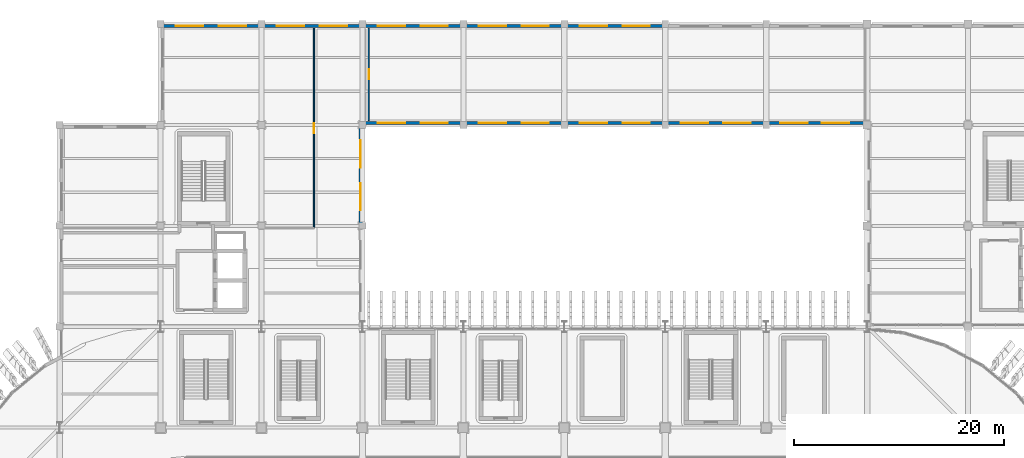
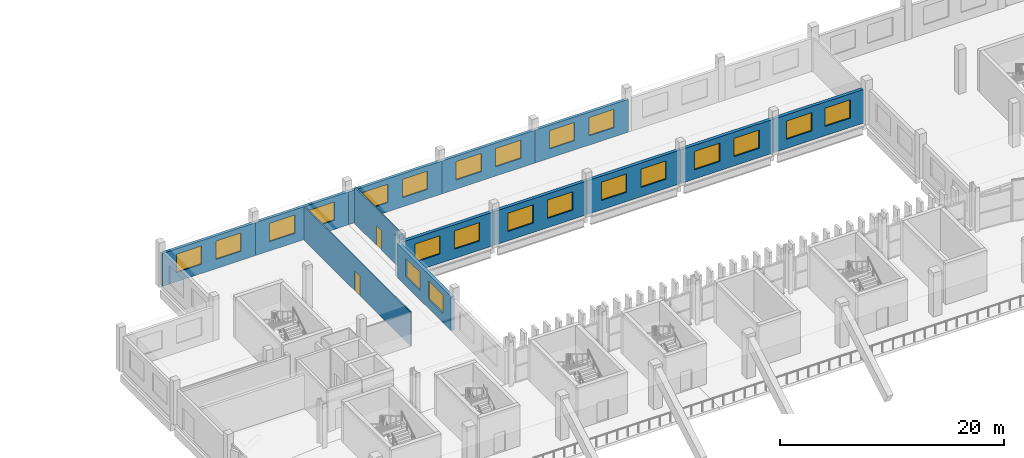
# One storey, part 59 of 100: 22 windows, 13 walls, 2 doors, 24 openings.
"""IFC4 building model written with IfcOpenShell, lengths in metres."""

from ifc_helpers import new_model, si_unit, direction, frame, frame_2d, origin, place, context, subcontext, project, spatial, rectangle, extrude, material, layer, layer_set, type_object, element, fill, save


model = new_model("IFC4")

# Units and contexts
model_context = context("Model", 3, precision=1e-05, world=origin(), true_north=direction((0.0, 1.0)))
body_context = subcontext(model_context, "Body", "Model", "MODEL_VIEW")
ifc_project = project(units=[si_unit("LENGTHUNIT", "METRE"), si_unit("AREAUNIT", "SQUARE_METRE"), si_unit("VOLUMEUNIT", "CUBIC_METRE"), si_unit("PLANEANGLEUNIT", "RADIAN"), si_unit("MASSUNIT", "GRAM", prefix="KILO")], contexts=[model_context])

# Site, building, storey
site_placement = place(None, origin())
site = spatial("IfcSite", under=ifc_project, at=site_placement, CompositionType="ELEMENT")
building_placement = place(site_placement, origin())
building = spatial("IfcBuilding", under=site, at=building_placement, Name="Caelomonte Colonnade Arena", CompositionType="ELEMENT")
storey_placement = place(building_placement, origin())
storey = spatial("IfcBuildingStorey", under=building, at=storey_placement, Name="L00", CompositionType="ELEMENT", Elevation=0.0)

# Wall, openings, windows
ifc_material_1 = material(Name="Precast concrete C40/50", Category="concrete")
ifc_layer_1 = layer(ifc_material_1, 0.2900390625)
ifc_layer_set_1 = layer_set([ifc_layer_1], Name="Precast concrete C40/50")
wall_type_1 = type_object("IfcWallType", Name="ENV-WL-EXT29", PredefinedType="SOLIDWALL", material=ifc_layer_set_1)
wall_1_placement = place(storey_placement, frame((124.800048828125, 143.820068359375, 0.0), z_axis=(0.0, 0.0, 1.0), x_axis=(-1.0, 0.0, 0.0)))
wall_1 = element("IfcWall", 1, at=wall_1_placement, inside=storey, type_object=wall_type_1, Name="L00 exterior wall EW-L00-0159", PredefinedType="SOLIDWALL", context=body_context, shape_type="SweptSolid", body=[
    extrude(rectangle(XDim=9.60009765625, YDim=0.2900390625, at=frame_2d((4.800048828125, 0.0))), origin(), (0.0, 0.0, 1.0), 3.572998046875),
])
opening_1_placement = place(wall_1_placement, frame((4.06689453125, 0.0, 1.0), z_axis=(0.0, 0.0, 1.0), x_axis=(-1.0, 0.0, 0.0)))
opening_1 = element("IfcOpeningElement", 2, at=opening_1_placement, cuts=wall_1, Name="Opening WN-10", PredefinedType="OPENING", context=body_context, shape_type="SweptSolid", body=[
    extrude(rectangle(XDim=2.60009765625, YDim=2.0, at=frame_2d((1.300048828125, 1.0))), frame((0.0, 0.155029296875, 0.0), z_axis=(0.0, -1.0, 0.0), x_axis=(1.0, 0.0, 0.0)), (0.0, 0.0, 1.0), 0.31005859375),
])
opening_2_placement = place(wall_1_placement, frame((8.13330078125, 0.0, 1.0), z_axis=(0.0, 0.0, 1.0), x_axis=(-1.0, 0.0, 0.0)))
opening_2 = element("IfcOpeningElement", 3, at=opening_2_placement, cuts=wall_1, Name="Opening WN-10", PredefinedType="OPENING", context=body_context, shape_type="SweptSolid", body=[
    extrude(rectangle(XDim=2.60009765625, YDim=2.0, at=frame_2d((1.300048828125, 1.0))), frame((0.0, 0.155029296875, 0.0), z_axis=(0.0, -1.0, 0.0), x_axis=(1.0, 0.0, 0.0)), (0.0, 0.0, 1.0), 0.31005859375),
])
ifc_material_2 = material(Name="Solar-control bronze low-E double glazing", Category="glass")
window_type = type_object("IfcWindowType", Name="ENV-WN-V4G", PartitioningType="TRIPLE_PANEL_VERTICAL", PredefinedType="WINDOW", material=ifc_material_2)
window_1_placement = place(opening_1_placement, origin())
window_1 = element("IfcWindow", 4, at=window_1_placement, inside=storey, type_object=window_type, Name="L00 facade window 37", OverallHeight=2.0, OverallWidth=2.60009765625, PartitioningType="SINGLE_PANEL", PredefinedType="WINDOW", context=body_context, shape_type="SweptSolid", body=[
    extrude(rectangle(XDim=2.60009765625, YDim=2.0, at=frame_2d((1.300048828125, 1.0))), frame((0.0, 0.030029296875, 0.0), z_axis=(0.0, -1.0, 0.0), x_axis=(1.0, 0.0, 0.0)), (0.0, 0.0, 1.0), 0.06005859375),
])
fill(opening_1, window_1)
window_2_placement = place(opening_2_placement, origin())
window_2 = element("IfcWindow", 5, at=window_2_placement, inside=storey, type_object=window_type, Name="L00 facade window 38", OverallHeight=2.0, OverallWidth=2.60009765625, PartitioningType="SINGLE_PANEL", PredefinedType="WINDOW", context=body_context, shape_type="SweptSolid", body=[
    extrude(rectangle(XDim=2.60009765625, YDim=2.0, at=frame_2d((1.300048828125, 1.0))), frame((0.0, 0.030029296875, 0.0), z_axis=(0.0, -1.0, 0.0), x_axis=(1.0, 0.0, 0.0)), (0.0, 0.0, 1.0), 0.06005859375),
])
fill(opening_2, window_2)

wall_2_placement = place(storey_placement, frame((115.199951171875, 143.820068359375, 0.0), z_axis=(0.0, 0.0, 1.0), x_axis=(-1.0, 0.0, 0.0)))
wall_2 = element("IfcWall", 6, at=wall_2_placement, inside=storey, type_object=wall_type_1, Name="L00 exterior wall EW-L00-0160", PredefinedType="SOLIDWALL", context=body_context, shape_type="SweptSolid", body=[
    extrude(rectangle(XDim=9.599853515625, YDim=0.2900390625, at=frame_2d((4.7998046875, 0.0))), origin(), (0.0, 0.0, 1.0), 3.572998046875),
])
opening_3_placement = place(wall_2_placement, frame((4.06689453125, 0.0, 1.0), z_axis=(0.0, 0.0, 1.0), x_axis=(-1.0, 0.0, 0.0)))
opening_3 = element("IfcOpeningElement", 7, at=opening_3_placement, cuts=wall_2, Name="Opening WN-10", PredefinedType="OPENING", context=body_context, shape_type="SweptSolid", body=[
    extrude(rectangle(XDim=2.60009765625, YDim=2.0, at=frame_2d((1.300048828125, 1.0))), frame((0.0, 0.155029296875, 0.0), z_axis=(0.0, -1.0, 0.0), x_axis=(1.0, 0.0, 0.0)), (0.0, 0.0, 1.0), 0.31005859375),
])
opening_4_placement = place(wall_2_placement, frame((8.13330078125, 0.0, 1.0), z_axis=(0.0, 0.0, 1.0), x_axis=(-1.0, 0.0, 0.0)))
opening_4 = element("IfcOpeningElement", 8, at=opening_4_placement, cuts=wall_2, Name="Opening WN-10", PredefinedType="OPENING", context=body_context, shape_type="SweptSolid", body=[
    extrude(rectangle(XDim=2.60009765625, YDim=2.0, at=frame_2d((1.300048828125, 1.0))), frame((0.0, 0.155029296875, 0.0), z_axis=(0.0, -1.0, 0.0), x_axis=(1.0, 0.0, 0.0)), (0.0, 0.0, 1.0), 0.31005859375),
])
window_3_placement = place(opening_3_placement, origin())
window_3 = element("IfcWindow", 9, at=window_3_placement, inside=storey, type_object=window_type, Name="L00 facade window 39", OverallHeight=2.0, OverallWidth=2.60009765625, PartitioningType="SINGLE_PANEL", PredefinedType="WINDOW", context=body_context, shape_type="SweptSolid", body=[
    extrude(rectangle(XDim=2.60009765625, YDim=2.0, at=frame_2d((1.300048828125, 1.0))), frame((0.0, 0.030029296875, 0.0), z_axis=(0.0, -1.0, 0.0), x_axis=(1.0, 0.0, 0.0)), (0.0, 0.0, 1.0), 0.06005859375),
])
fill(opening_3, window_3)
window_4_placement = place(opening_4_placement, origin())
window_4 = element("IfcWindow", 10, at=window_4_placement, inside=storey, type_object=window_type, Name="L00 facade window 40", OverallHeight=2.0, OverallWidth=2.60009765625, PartitioningType="SINGLE_PANEL", PredefinedType="WINDOW", context=body_context, shape_type="SweptSolid", body=[
    extrude(rectangle(XDim=2.60009765625, YDim=2.0, at=frame_2d((1.300048828125, 1.0))), frame((0.0, 0.030029296875, 0.0), z_axis=(0.0, -1.0, 0.0), x_axis=(1.0, 0.0, 0.0)), (0.0, 0.0, 1.0), 0.06005859375),
])
fill(opening_4, window_4)

wall_3_placement = place(storey_placement, frame((105.60009765625, 143.820068359375, 0.0), z_axis=(0.0, 0.0, 1.0), x_axis=(-1.0, 0.0, 0.0)))
wall_3 = element("IfcWall", 11, at=wall_3_placement, inside=storey, type_object=wall_type_1, Name="L00 exterior wall EW-L00-0161", PredefinedType="SOLIDWALL", context=body_context, shape_type="SweptSolid", body=[
    extrude(rectangle(XDim=9.60009765625, YDim=0.2900390625, at=frame_2d((4.800048828125, 0.0))), origin(), (0.0, 0.0, 1.0), 3.572998046875),
])
opening_5_placement = place(wall_3_placement, frame((4.06689453125, 0.0, 1.0), z_axis=(0.0, 0.0, 1.0), x_axis=(-1.0, 0.0, 0.0)))
opening_5 = element("IfcOpeningElement", 12, at=opening_5_placement, cuts=wall_3, Name="Opening WN-10", PredefinedType="OPENING", context=body_context, shape_type="SweptSolid", body=[
    extrude(rectangle(XDim=2.60009765625, YDim=2.0, at=frame_2d((1.300048828125, 1.0))), frame((0.0, 0.155029296875, 0.0), z_axis=(0.0, -1.0, 0.0), x_axis=(1.0, 0.0, 0.0)), (0.0, 0.0, 1.0), 0.31005859375),
])
opening_6_placement = place(wall_3_placement, frame((8.13330078125, 0.0, 1.0), z_axis=(0.0, 0.0, 1.0), x_axis=(-1.0, 0.0, 0.0)))
opening_6 = element("IfcOpeningElement", 13, at=opening_6_placement, cuts=wall_3, Name="Opening WN-10", PredefinedType="OPENING", context=body_context, shape_type="SweptSolid", body=[
    extrude(rectangle(XDim=2.60009765625, YDim=2.0, at=frame_2d((1.300048828125, 1.0))), frame((0.0, 0.155029296875, 0.0), z_axis=(0.0, -1.0, 0.0), x_axis=(1.0, 0.0, 0.0)), (0.0, 0.0, 1.0), 0.31005859375),
])
window_5_placement = place(opening_5_placement, origin())
window_5 = element("IfcWindow", 14, at=window_5_placement, inside=storey, type_object=window_type, Name="L00 facade window 41", OverallHeight=2.0, OverallWidth=2.60009765625, PartitioningType="SINGLE_PANEL", PredefinedType="WINDOW", context=body_context, shape_type="SweptSolid", body=[
    extrude(rectangle(XDim=2.60009765625, YDim=2.0, at=frame_2d((1.300048828125, 1.0))), frame((0.0, 0.030029296875, 0.0), z_axis=(0.0, -1.0, 0.0), x_axis=(1.0, 0.0, 0.0)), (0.0, 0.0, 1.0), 0.06005859375),
])
fill(opening_5, window_5)
window_6_placement = place(opening_6_placement, origin())
window_6 = element("IfcWindow", 15, at=window_6_placement, inside=storey, type_object=window_type, Name="L00 facade window 42", OverallHeight=2.0, OverallWidth=2.60009765625, PartitioningType="SINGLE_PANEL", PredefinedType="WINDOW", context=body_context, shape_type="SweptSolid", body=[
    extrude(rectangle(XDim=2.60009765625, YDim=2.0, at=frame_2d((1.300048828125, 1.0))), frame((0.0, 0.030029296875, 0.0), z_axis=(0.0, -1.0, 0.0), x_axis=(1.0, 0.0, 0.0)), (0.0, 0.0, 1.0), 0.06005859375),
])
fill(opening_6, window_6)

wall_4_placement = place(storey_placement, frame((96.0, 143.820068359375, 0.0), z_axis=(0.0, 0.0, 1.0), x_axis=(-1.0, 0.0, 0.0)))
wall_4 = element("IfcWall", 16, at=wall_4_placement, inside=storey, type_object=wall_type_1, Name="L00 exterior wall EW-L00-0162", PredefinedType="SOLIDWALL", context=body_context, shape_type="SweptSolid", body=[
    extrude(rectangle(XDim=9.60009765625, YDim=0.2900390625, at=frame_2d((4.800048828125, 0.0))), origin(), (0.0, 0.0, 1.0), 3.572998046875),
])
opening_7_placement = place(wall_4_placement, frame((4.06689453125, 0.0, 1.0), z_axis=(0.0, 0.0, 1.0), x_axis=(-1.0, 0.0, 0.0)))
opening_7 = element("IfcOpeningElement", 17, at=opening_7_placement, cuts=wall_4, Name="Opening WN-10", PredefinedType="OPENING", context=body_context, shape_type="SweptSolid", body=[
    extrude(rectangle(XDim=2.60009765625, YDim=2.0, at=frame_2d((1.300048828125, 1.0))), frame((0.0, 0.155029296875, 0.0), z_axis=(0.0, -1.0, 0.0), x_axis=(1.0, 0.0, 0.0)), (0.0, 0.0, 1.0), 0.31005859375),
])
opening_8_placement = place(wall_4_placement, frame((8.13330078125, 0.0, 1.0), z_axis=(0.0, 0.0, 1.0), x_axis=(-1.0, 0.0, 0.0)))
opening_8 = element("IfcOpeningElement", 18, at=opening_8_placement, cuts=wall_4, Name="Opening WN-10", PredefinedType="OPENING", context=body_context, shape_type="SweptSolid", body=[
    extrude(rectangle(XDim=2.60009765625, YDim=2.0, at=frame_2d((1.300048828125, 1.0))), frame((0.0, 0.155029296875, 0.0), z_axis=(0.0, -1.0, 0.0), x_axis=(1.0, 0.0, 0.0)), (0.0, 0.0, 1.0), 0.31005859375),
])
window_7_placement = place(opening_7_placement, origin())
window_7 = element("IfcWindow", 19, at=window_7_placement, inside=storey, type_object=window_type, Name="L00 facade window 43", OverallHeight=2.0, OverallWidth=2.60009765625, PartitioningType="SINGLE_PANEL", PredefinedType="WINDOW", context=body_context, shape_type="SweptSolid", body=[
    extrude(rectangle(XDim=2.60009765625, YDim=2.0, at=frame_2d((1.300048828125, 1.0))), frame((0.0, 0.030029296875, 0.0), z_axis=(0.0, -1.0, 0.0), x_axis=(1.0, 0.0, 0.0)), (0.0, 0.0, 1.0), 0.06005859375),
])
fill(opening_7, window_7)
window_8_placement = place(opening_8_placement, origin())
window_8 = element("IfcWindow", 20, at=window_8_placement, inside=storey, type_object=window_type, Name="L00 facade window 44", OverallHeight=2.0, OverallWidth=2.60009765625, PartitioningType="SINGLE_PANEL", PredefinedType="WINDOW", context=body_context, shape_type="SweptSolid", body=[
    extrude(rectangle(XDim=2.60009765625, YDim=2.0, at=frame_2d((1.300048828125, 1.0))), frame((0.0, 0.030029296875, 0.0), z_axis=(0.0, -1.0, 0.0), x_axis=(1.0, 0.0, 0.0)), (0.0, 0.0, 1.0), 0.06005859375),
])
fill(opening_8, window_8)

wall_5_placement = place(storey_placement, frame((86.39990234375, 143.820068359375, 0.0), z_axis=(0.0, 0.0, 1.0), x_axis=(-1.0, 0.0, 0.0)))
wall_5 = element("IfcWall", 21, at=wall_5_placement, inside=storey, type_object=wall_type_1, Name="L00 exterior wall EW-L00-0163", PredefinedType="SOLIDWALL", context=body_context, shape_type="SweptSolid", body=[
    extrude(rectangle(XDim=9.599853515625, YDim=0.2900390625, at=frame_2d((4.7998046875, 0.0))), origin(), (0.0, 0.0, 1.0), 3.572998046875),
])
opening_9_placement = place(wall_5_placement, frame((4.06689453125, 0.0, 1.0), z_axis=(0.0, 0.0, 1.0), x_axis=(-1.0, 0.0, 0.0)))
opening_9 = element("IfcOpeningElement", 22, at=opening_9_placement, cuts=wall_5, Name="Opening WN-10", PredefinedType="OPENING", context=body_context, shape_type="SweptSolid", body=[
    extrude(rectangle(XDim=2.60009765625, YDim=2.0, at=frame_2d((1.300048828125, 1.0))), frame((0.0, 0.155029296875, 0.0), z_axis=(0.0, -1.0, 0.0), x_axis=(1.0, 0.0, 0.0)), (0.0, 0.0, 1.0), 0.31005859375),
])
opening_10_placement = place(wall_5_placement, frame((8.13330078125, 0.0, 1.0), z_axis=(0.0, 0.0, 1.0), x_axis=(-1.0, 0.0, 0.0)))
opening_10 = element("IfcOpeningElement", 23, at=opening_10_placement, cuts=wall_5, Name="Opening WN-10", PredefinedType="OPENING", context=body_context, shape_type="SweptSolid", body=[
    extrude(rectangle(XDim=2.60009765625, YDim=2.0, at=frame_2d((1.300048828125, 1.0))), frame((0.0, 0.155029296875, 0.0), z_axis=(0.0, -1.0, 0.0), x_axis=(1.0, 0.0, 0.0)), (0.0, 0.0, 1.0), 0.31005859375),
])
window_9_placement = place(opening_9_placement, origin())
window_9 = element("IfcWindow", 24, at=window_9_placement, inside=storey, type_object=window_type, Name="L00 facade window 45", OverallHeight=2.0, OverallWidth=2.60009765625, PartitioningType="SINGLE_PANEL", PredefinedType="WINDOW", context=body_context, shape_type="SweptSolid", body=[
    extrude(rectangle(XDim=2.60009765625, YDim=2.0, at=frame_2d((1.300048828125, 1.0))), frame((0.0, 0.030029296875, 0.0), z_axis=(0.0, -1.0, 0.0), x_axis=(1.0, 0.0, 0.0)), (0.0, 0.0, 1.0), 0.06005859375),
])
fill(opening_9, window_9)
window_10_placement = place(opening_10_placement, origin())
window_10 = element("IfcWindow", 25, at=window_10_placement, inside=storey, type_object=window_type, Name="L00 facade window 46", OverallHeight=2.0, OverallWidth=2.60009765625, PartitioningType="SINGLE_PANEL", PredefinedType="WINDOW", context=body_context, shape_type="SweptSolid", body=[
    extrude(rectangle(XDim=2.60009765625, YDim=2.0, at=frame_2d((1.300048828125, 1.0))), frame((0.0, 0.030029296875, 0.0), z_axis=(0.0, -1.0, 0.0), x_axis=(1.0, 0.0, 0.0)), (0.0, 0.0, 1.0), 0.06005859375),
])
fill(opening_10, window_10)

ifc_layer_2 = layer(ifc_material_1, 0.330078125)
ifc_layer_set_2 = layer_set([ifc_layer_2], Name="Precast concrete C40/50")
wall_type_2 = type_object("IfcWallType", Name="ENV-WL-EXT33", PredefinedType="SOLIDWALL", material=ifc_layer_set_2)
wall_6_placement = place(storey_placement, frame((96.0, 134.580078125, 0.0), z_axis=(0.0, 0.0, 1.0), x_axis=(1.0, 0.0, 0.0)))
wall_6 = element("IfcWall", 26, at=wall_6_placement, inside=storey, type_object=wall_type_2, Name="L00 exterior wall EW-L00-0173", PredefinedType="SOLIDWALL", context=body_context, shape_type="SweptSolid", body=[
    extrude(rectangle(XDim=9.60009765625, YDim=0.330078125, at=frame_2d((4.800048828125, 0.0))), origin(), (0.0, 0.0, 1.0), 3.664306640625),
])
opening_11_placement = place(wall_6_placement, frame((4.06689453125, 0.0, 1.0), z_axis=(0.0, 0.0, 1.0), x_axis=(-1.0, 0.0, 0.0)))
opening_11 = element("IfcOpeningElement", 27, at=opening_11_placement, cuts=wall_6, Name="Opening WN-10", PredefinedType="OPENING", context=body_context, shape_type="SweptSolid", body=[
    extrude(rectangle(XDim=2.60009765625, YDim=2.0, at=frame_2d((1.300048828125, 1.0))), frame((0.0, 0.175048828125, 0.0), z_axis=(0.0, -1.0, 0.0), x_axis=(1.0, 0.0, 0.0)), (0.0, 0.0, 1.0), 0.35009765625),
])
opening_12_placement = place(wall_6_placement, frame((8.13330078125, 0.0, 1.0), z_axis=(0.0, 0.0, 1.0), x_axis=(-1.0, 0.0, 0.0)))
opening_12 = element("IfcOpeningElement", 28, at=opening_12_placement, cuts=wall_6, Name="Opening WN-10", PredefinedType="OPENING", context=body_context, shape_type="SweptSolid", body=[
    extrude(rectangle(XDim=2.60009765625, YDim=2.0, at=frame_2d((1.300048828125, 1.0))), frame((0.0, 0.175048828125, 0.0), z_axis=(0.0, -1.0, 0.0), x_axis=(1.0, 0.0, 0.0)), (0.0, 0.0, 1.0), 0.35009765625),
])
window_11_placement = place(opening_11_placement, origin())
window_11 = element("IfcWindow", 29, at=window_11_placement, inside=storey, type_object=window_type, Name="L00 facade window 53", OverallHeight=2.0, OverallWidth=2.60009765625, PartitioningType="SINGLE_PANEL", PredefinedType="WINDOW", context=body_context, shape_type="SweptSolid", body=[
    extrude(rectangle(XDim=2.60009765625, YDim=2.0, at=frame_2d((1.300048828125, 1.0))), frame((0.0, 0.030029296875, 0.0), z_axis=(0.0, -1.0, 0.0), x_axis=(1.0, 0.0, 0.0)), (0.0, 0.0, 1.0), 0.06005859375),
])
fill(opening_11, window_11)
window_12_placement = place(opening_12_placement, origin())
window_12 = element("IfcWindow", 30, at=window_12_placement, inside=storey, type_object=window_type, Name="L00 facade window 54", OverallHeight=2.0, OverallWidth=2.60009765625, PartitioningType="SINGLE_PANEL", PredefinedType="WINDOW", context=body_context, shape_type="SweptSolid", body=[
    extrude(rectangle(XDim=2.60009765625, YDim=2.0, at=frame_2d((1.300048828125, 1.0))), frame((0.0, 0.030029296875, 0.0), z_axis=(0.0, -1.0, 0.0), x_axis=(1.0, 0.0, 0.0)), (0.0, 0.0, 1.0), 0.06005859375),
])
fill(opening_12, window_12)

wall_7_placement = place(storey_placement, frame((105.60009765625, 134.580078125, 0.0), z_axis=(0.0, 0.0, 1.0), x_axis=(1.0, 0.0, 0.0)))
wall_7 = element("IfcWall", 31, at=wall_7_placement, inside=storey, type_object=wall_type_2, Name="L00 exterior wall EW-L00-0174", PredefinedType="SOLIDWALL", context=body_context, shape_type="SweptSolid", body=[
    extrude(rectangle(XDim=9.599853515625, YDim=0.330078125, at=frame_2d((4.7998046875, 0.0))), origin(), (0.0, 0.0, 1.0), 3.664306640625),
])
opening_13_placement = place(wall_7_placement, frame((4.06689453125, 0.0, 1.0), z_axis=(0.0, 0.0, 1.0), x_axis=(-1.0, 0.0, 0.0)))
opening_13 = element("IfcOpeningElement", 32, at=opening_13_placement, cuts=wall_7, Name="Opening WN-10", PredefinedType="OPENING", context=body_context, shape_type="SweptSolid", body=[
    extrude(rectangle(XDim=2.60009765625, YDim=2.0, at=frame_2d((1.300048828125, 1.0))), frame((0.0, 0.175048828125, 0.0), z_axis=(0.0, -1.0, 0.0), x_axis=(1.0, 0.0, 0.0)), (0.0, 0.0, 1.0), 0.35009765625),
])
opening_14_placement = place(wall_7_placement, frame((8.13330078125, 0.0, 1.0), z_axis=(0.0, 0.0, 1.0), x_axis=(-1.0, 0.0, 0.0)))
opening_14 = element("IfcOpeningElement", 33, at=opening_14_placement, cuts=wall_7, Name="Opening WN-10", PredefinedType="OPENING", context=body_context, shape_type="SweptSolid", body=[
    extrude(rectangle(XDim=2.60009765625, YDim=2.0, at=frame_2d((1.300048828125, 1.0))), frame((0.0, 0.175048828125, 0.0), z_axis=(0.0, -1.0, 0.0), x_axis=(1.0, 0.0, 0.0)), (0.0, 0.0, 1.0), 0.35009765625),
])
window_13_placement = place(opening_13_placement, origin())
window_13 = element("IfcWindow", 34, at=window_13_placement, inside=storey, type_object=window_type, Name="L00 facade window 55", OverallHeight=2.0, OverallWidth=2.60009765625, PartitioningType="SINGLE_PANEL", PredefinedType="WINDOW", context=body_context, shape_type="SweptSolid", body=[
    extrude(rectangle(XDim=2.60009765625, YDim=2.0, at=frame_2d((1.300048828125, 1.0))), frame((0.0, 0.030029296875, 0.0), z_axis=(0.0, -1.0, 0.0), x_axis=(1.0, 0.0, 0.0)), (0.0, 0.0, 1.0), 0.06005859375),
])
fill(opening_13, window_13)
window_14_placement = place(opening_14_placement, origin())
window_14 = element("IfcWindow", 35, at=window_14_placement, inside=storey, type_object=window_type, Name="L00 facade window 56", OverallHeight=2.0, OverallWidth=2.60009765625, PartitioningType="SINGLE_PANEL", PredefinedType="WINDOW", context=body_context, shape_type="SweptSolid", body=[
    extrude(rectangle(XDim=2.60009765625, YDim=2.0, at=frame_2d((1.300048828125, 1.0))), frame((0.0, 0.030029296875, 0.0), z_axis=(0.0, -1.0, 0.0), x_axis=(1.0, 0.0, 0.0)), (0.0, 0.0, 1.0), 0.06005859375),
])
fill(opening_14, window_14)

wall_8_placement = place(storey_placement, frame((115.199951171875, 134.580078125, 0.0), z_axis=(0.0, 0.0, 1.0), x_axis=(1.0, 0.0, 0.0)))
wall_8 = element("IfcWall", 36, at=wall_8_placement, inside=storey, type_object=wall_type_2, Name="L00 exterior wall EW-L00-0175", PredefinedType="SOLIDWALL", context=body_context, shape_type="SweptSolid", body=[
    extrude(rectangle(XDim=9.60009765625, YDim=0.330078125, at=frame_2d((4.800048828125, 0.0))), origin(), (0.0, 0.0, 1.0), 3.664306640625),
])
opening_15_placement = place(wall_8_placement, frame((4.06689453125, 0.0, 1.0), z_axis=(0.0, 0.0, 1.0), x_axis=(-1.0, 0.0, 0.0)))
opening_15 = element("IfcOpeningElement", 37, at=opening_15_placement, cuts=wall_8, Name="Opening WN-10", PredefinedType="OPENING", context=body_context, shape_type="SweptSolid", body=[
    extrude(rectangle(XDim=2.60009765625, YDim=2.0, at=frame_2d((1.300048828125, 1.0))), frame((0.0, 0.175048828125, 0.0), z_axis=(0.0, -1.0, 0.0), x_axis=(1.0, 0.0, 0.0)), (0.0, 0.0, 1.0), 0.35009765625),
])
opening_16_placement = place(wall_8_placement, frame((8.13330078125, 0.0, 1.0), z_axis=(0.0, 0.0, 1.0), x_axis=(-1.0, 0.0, 0.0)))
opening_16 = element("IfcOpeningElement", 38, at=opening_16_placement, cuts=wall_8, Name="Opening WN-10", PredefinedType="OPENING", context=body_context, shape_type="SweptSolid", body=[
    extrude(rectangle(XDim=2.60009765625, YDim=2.0, at=frame_2d((1.300048828125, 1.0))), frame((0.0, 0.175048828125, 0.0), z_axis=(0.0, -1.0, 0.0), x_axis=(1.0, 0.0, 0.0)), (0.0, 0.0, 1.0), 0.35009765625),
])
window_15_placement = place(opening_15_placement, origin())
window_15 = element("IfcWindow", 39, at=window_15_placement, inside=storey, type_object=window_type, Name="L00 facade window 57", OverallHeight=2.0, OverallWidth=2.60009765625, PartitioningType="SINGLE_PANEL", PredefinedType="WINDOW", context=body_context, shape_type="SweptSolid", body=[
    extrude(rectangle(XDim=2.60009765625, YDim=2.0, at=frame_2d((1.300048828125, 1.0))), frame((0.0, 0.030029296875, 0.0), z_axis=(0.0, -1.0, 0.0), x_axis=(1.0, 0.0, 0.0)), (0.0, 0.0, 1.0), 0.06005859375),
])
fill(opening_15, window_15)
window_16_placement = place(opening_16_placement, origin())
window_16 = element("IfcWindow", 40, at=window_16_placement, inside=storey, type_object=window_type, Name="L00 facade window 58", OverallHeight=2.0, OverallWidth=2.60009765625, PartitioningType="SINGLE_PANEL", PredefinedType="WINDOW", context=body_context, shape_type="SweptSolid", body=[
    extrude(rectangle(XDim=2.60009765625, YDim=2.0, at=frame_2d((1.300048828125, 1.0))), frame((0.0, 0.030029296875, 0.0), z_axis=(0.0, -1.0, 0.0), x_axis=(1.0, 0.0, 0.0)), (0.0, 0.0, 1.0), 0.06005859375),
])
fill(opening_16, window_16)

wall_9_placement = place(storey_placement, frame((124.800048828125, 134.580078125, 0.0), z_axis=(0.0, 0.0, 1.0), x_axis=(1.0, 0.0, 0.0)))
wall_9 = element("IfcWall", 41, at=wall_9_placement, inside=storey, type_object=wall_type_2, Name="L00 exterior wall EW-L00-0176", PredefinedType="SOLIDWALL", context=body_context, shape_type="SweptSolid", body=[
    extrude(rectangle(XDim=9.599853515625, YDim=0.330078125, at=frame_2d((4.7998046875, 0.0))), origin(), (0.0, 0.0, 1.0), 3.664306640625),
])
opening_17_placement = place(wall_9_placement, frame((4.06689453125, 0.0, 1.0), z_axis=(0.0, 0.0, 1.0), x_axis=(-1.0, 0.0, 0.0)))
opening_17 = element("IfcOpeningElement", 42, at=opening_17_placement, cuts=wall_9, Name="Opening WN-10", PredefinedType="OPENING", context=body_context, shape_type="SweptSolid", body=[
    extrude(rectangle(XDim=2.60009765625, YDim=2.0, at=frame_2d((1.300048828125, 1.0))), frame((0.0, 0.175048828125, 0.0), z_axis=(0.0, -1.0, 0.0), x_axis=(1.0, 0.0, 0.0)), (0.0, 0.0, 1.0), 0.35009765625),
])
opening_18_placement = place(wall_9_placement, frame((8.13330078125, 0.0, 1.0), z_axis=(0.0, 0.0, 1.0), x_axis=(-1.0, 0.0, 0.0)))
opening_18 = element("IfcOpeningElement", 43, at=opening_18_placement, cuts=wall_9, Name="Opening WN-10", PredefinedType="OPENING", context=body_context, shape_type="SweptSolid", body=[
    extrude(rectangle(XDim=2.60009765625, YDim=2.0, at=frame_2d((1.300048828125, 1.0))), frame((0.0, 0.175048828125, 0.0), z_axis=(0.0, -1.0, 0.0), x_axis=(1.0, 0.0, 0.0)), (0.0, 0.0, 1.0), 0.35009765625),
])
window_17_placement = place(opening_17_placement, origin())
window_17 = element("IfcWindow", 44, at=window_17_placement, inside=storey, type_object=window_type, Name="L00 facade window 59", OverallHeight=2.0, OverallWidth=2.60009765625, PartitioningType="SINGLE_PANEL", PredefinedType="WINDOW", context=body_context, shape_type="SweptSolid", body=[
    extrude(rectangle(XDim=2.60009765625, YDim=2.0, at=frame_2d((1.300048828125, 1.0))), frame((0.0, 0.030029296875, 0.0), z_axis=(0.0, -1.0, 0.0), x_axis=(1.0, 0.0, 0.0)), (0.0, 0.0, 1.0), 0.06005859375),
])
fill(opening_17, window_17)
window_18_placement = place(opening_18_placement, origin())
window_18 = element("IfcWindow", 45, at=window_18_placement, inside=storey, type_object=window_type, Name="L00 facade window 60", OverallHeight=2.0, OverallWidth=2.60009765625, PartitioningType="SINGLE_PANEL", PredefinedType="WINDOW", context=body_context, shape_type="SweptSolid", body=[
    extrude(rectangle(XDim=2.60009765625, YDim=2.0, at=frame_2d((1.300048828125, 1.0))), frame((0.0, 0.030029296875, 0.0), z_axis=(0.0, -1.0, 0.0), x_axis=(1.0, 0.0, 0.0)), (0.0, 0.0, 1.0), 0.06005859375),
])
fill(opening_18, window_18)

wall_10_placement = place(storey_placement, frame((134.39990234375, 134.580078125, 0.0), z_axis=(0.0, 0.0, 1.0), x_axis=(1.0, 0.0, 0.0)))
wall_10 = element("IfcWall", 46, at=wall_10_placement, inside=storey, type_object=wall_type_2, Name="L00 exterior wall EW-L00-0177", PredefinedType="SOLIDWALL", context=body_context, shape_type="SweptSolid", body=[
    extrude(rectangle(XDim=9.2451171875, YDim=0.330078125, at=frame_2d((4.62255859375, 0.0))), origin(), (0.0, 0.0, 1.0), 3.664306640625),
])
opening_19_placement = place(wall_10_placement, frame((3.948486328125, 0.0, 1.0), z_axis=(0.0, 0.0, 1.0), x_axis=(-1.0, 0.0, 0.0)))
opening_19 = element("IfcOpeningElement", 47, at=opening_19_placement, cuts=wall_10, Name="Opening WN-10", PredefinedType="OPENING", context=body_context, shape_type="SweptSolid", body=[
    extrude(rectangle(XDim=2.60009765625, YDim=2.0, at=frame_2d((1.300048828125, 1.0))), frame((0.0, 0.175048828125, 0.0), z_axis=(0.0, -1.0, 0.0), x_axis=(1.0, 0.0, 0.0)), (0.0, 0.0, 1.0), 0.35009765625),
])
opening_20_placement = place(wall_10_placement, frame((7.896728515625, 0.0, 1.0), z_axis=(0.0, 0.0, 1.0), x_axis=(-1.0, 0.0, 0.0)))
opening_20 = element("IfcOpeningElement", 48, at=opening_20_placement, cuts=wall_10, Name="Opening WN-10", PredefinedType="OPENING", context=body_context, shape_type="SweptSolid", body=[
    extrude(rectangle(XDim=2.60009765625, YDim=2.0, at=frame_2d((1.300048828125, 1.0))), frame((0.0, 0.175048828125, 0.0), z_axis=(0.0, -1.0, 0.0), x_axis=(1.0, 0.0, 0.0)), (0.0, 0.0, 1.0), 0.35009765625),
])
window_19_placement = place(opening_19_placement, origin())
window_19 = element("IfcWindow", 49, at=window_19_placement, inside=storey, type_object=window_type, Name="L00 facade window 61", OverallHeight=2.0, OverallWidth=2.60009765625, PartitioningType="SINGLE_PANEL", PredefinedType="WINDOW", context=body_context, shape_type="SweptSolid", body=[
    extrude(rectangle(XDim=2.60009765625, YDim=2.0, at=frame_2d((1.300048828125, 1.0))), frame((0.0, 0.030029296875, 0.0), z_axis=(0.0, -1.0, 0.0), x_axis=(1.0, 0.0, 0.0)), (0.0, 0.0, 1.0), 0.06005859375),
])
fill(opening_19, window_19)
window_20_placement = place(opening_20_placement, origin())
window_20 = element("IfcWindow", 50, at=window_20_placement, inside=storey, type_object=window_type, Name="L00 facade window 62", OverallHeight=2.0, OverallWidth=2.60009765625, PartitioningType="SINGLE_PANEL", PredefinedType="WINDOW", context=body_context, shape_type="SweptSolid", body=[
    extrude(rectangle(XDim=2.60009765625, YDim=2.0, at=frame_2d((1.300048828125, 1.0))), frame((0.0, 0.030029296875, 0.0), z_axis=(0.0, -1.0, 0.0), x_axis=(1.0, 0.0, 0.0)), (0.0, 0.0, 1.0), 0.06005859375),
])
fill(opening_20, window_20)

wall_11_placement = place(storey_placement, frame((95.820068359375, 124.800048828125, 0.0), z_axis=(0.0, 0.0, 1.0), x_axis=(0.0, 1.0, 0.0)))
wall_11 = element("IfcWall", 51, at=wall_11_placement, inside=storey, type_object=wall_type_2, Name="L00 exterior wall EW-L00-0182", PredefinedType="SOLIDWALL", context=body_context, shape_type="SweptSolid", body=[
    extrude(rectangle(XDim=9.599853515625, YDim=0.330078125, at=frame_2d((4.7998046875, 0.0))), origin(), (0.0, 0.0, 1.0), 3.699951171875),
])
opening_21_placement = place(wall_11_placement, frame((4.06689453125, 0.0, 1.0), z_axis=(0.0, 0.0, 1.0), x_axis=(-1.0, 0.0, 0.0)))
opening_21 = element("IfcOpeningElement", 52, at=opening_21_placement, cuts=wall_11, Name="Opening WN-10", PredefinedType="OPENING", context=body_context, shape_type="SweptSolid", body=[
    extrude(rectangle(XDim=2.60009765625, YDim=2.0, at=frame_2d((1.300048828125, 1.0))), frame((0.0, 0.175048828125, 0.0), z_axis=(0.0, -1.0, 0.0), x_axis=(1.0, 0.0, 0.0)), (0.0, 0.0, 1.0), 0.35009765625),
])
opening_22_placement = place(wall_11_placement, frame((8.13330078125, 0.0, 1.0), z_axis=(0.0, 0.0, 1.0), x_axis=(-1.0, 0.0, 0.0)))
opening_22 = element("IfcOpeningElement", 53, at=opening_22_placement, cuts=wall_11, Name="Opening WN-10", PredefinedType="OPENING", context=body_context, shape_type="SweptSolid", body=[
    extrude(rectangle(XDim=2.60009765625, YDim=2.0, at=frame_2d((1.300048828125, 1.0))), frame((0.0, 0.175048828125, 0.0), z_axis=(0.0, -1.0, 0.0), x_axis=(1.0, 0.0, 0.0)), (0.0, 0.0, 1.0), 0.35009765625),
])
window_21_placement = place(opening_21_placement, origin())
window_21 = element("IfcWindow", 54, at=window_21_placement, inside=storey, type_object=window_type, Name="L00 facade window 69", OverallHeight=2.0, OverallWidth=2.60009765625, PartitioningType="SINGLE_PANEL", PredefinedType="WINDOW", context=body_context, shape_type="SweptSolid", body=[
    extrude(rectangle(XDim=2.60009765625, YDim=2.0, at=frame_2d((1.300048828125, 1.0))), frame((0.0, 0.030029296875, 0.0), z_axis=(0.0, -1.0, 0.0), x_axis=(1.0, 0.0, 0.0)), (0.0, 0.0, 1.0), 0.06005859375),
])
fill(opening_21, window_21)
window_22_placement = place(opening_22_placement, origin())
window_22 = element("IfcWindow", 55, at=window_22_placement, inside=storey, type_object=window_type, Name="L00 facade window 70", OverallHeight=2.0, OverallWidth=2.60009765625, PartitioningType="SINGLE_PANEL", PredefinedType="WINDOW", context=body_context, shape_type="SweptSolid", body=[
    extrude(rectangle(XDim=2.60009765625, YDim=2.0, at=frame_2d((1.300048828125, 1.0))), frame((0.0, 0.030029296875, 0.0), z_axis=(0.0, -1.0, 0.0), x_axis=(1.0, 0.0, 0.0)), (0.0, 0.0, 1.0), 0.06005859375),
])
fill(opening_22, window_22)

# Wall, opening, door
ifc_material_3 = material(Name="Office gypsum stud partition")
ifc_layer_3 = layer(ifc_material_3, 0.1201171875)
ifc_layer_set_3 = layer_set([ifc_layer_3], Name="Office gypsum stud partition")
wall_type_3 = type_object("IfcWallType", Name="INT-WL-PT12", PredefinedType="PARTITIONING", material=ifc_layer_set_3)
wall_12_placement = place(storey_placement, frame((91.39990234375, 143.60009765625, 0.0), z_axis=(0.0, 0.0, 1.0), x_axis=(0.0, -1.0, 0.0)))
wall_12 = element("IfcWall", 56, at=wall_12_placement, inside=storey, type_object=wall_type_3, Name="L00 Community Room partition 98", PredefinedType="PARTITIONING", context=body_context, shape_type="SweptSolid", body=[
    extrude(rectangle(XDim=19.0, YDim=0.1201171875, at=frame_2d((9.5, 0.0))), origin(), (0.0, 0.0, 1.0), 3.664306640625),
])
opening_23_placement = place(wall_12_placement, frame((9.02490234375, 0.0, 0.0), z_axis=(0.0, 0.0, 1.0), x_axis=(1.0, 0.0, 0.0)))
opening_23 = element("IfcOpeningElement", 57, at=opening_23_placement, cuts=wall_12, Name="Opening D-L00-031", PredefinedType="OPENING", context=body_context, shape_type="SweptSolid", body=[
    extrude(rectangle(XDim=0.949951171875, YDim=2.14990234375, at=frame_2d((0.47509765625, 1.074951171875))), frame((0.0, 0.070068359375, 0.0), z_axis=(0.0, -1.0, 0.0), x_axis=(1.0, 0.0, 0.0)), (0.0, 0.0, 1.0), 0.14013671875),
])
ifc_material_4 = material(Name="Solid-core timber office door", Category="wood")
door_type = type_object("IfcDoorType", Name="INT-DR-OFF", OperationType="NOTDEFINED", PredefinedType="DOOR", material=ifc_material_4)
door_1_placement = place(opening_23_placement, origin())
door_1 = element("IfcDoor", 58, at=door_1_placement, inside=storey, type_object=door_type, Name="L00 Community Room door D-L00-031", OperationType="SINGLE_SWING_RIGHT", OverallHeight=2.14990234375, OverallWidth=0.949951171875, PredefinedType="DOOR", context=body_context, shape_type="SweptSolid", body=[
    extrude(rectangle(XDim=0.949951171875, YDim=2.14990234375, at=frame_2d((0.47509765625, 1.074951171875))), frame((0.0, 0.02490234375, 0.0), z_axis=(0.0, -1.0, 0.0), x_axis=(1.0, 0.0, 0.0)), (0.0, 0.0, 1.0), 0.050048828125),
])
fill(opening_23, door_1)

wall_13_placement = place(storey_placement, frame((96.60009765625, 134.800048828125, 0.0), z_axis=(0.0, 0.0, 1.0), x_axis=(0.0, 1.0, 0.0)))
wall_13 = element("IfcWall", 59, at=wall_13_placement, inside=storey, type_object=wall_type_3, Name="L00 Civic Sports Exhibition Room partition 101", PredefinedType="PARTITIONING", context=body_context, shape_type="SweptSolid", body=[
    extrude(rectangle(XDim=8.800048828125, YDim=0.1201171875, at=frame_2d((4.39990234375, 0.0))), origin(), (0.0, 0.0, 1.0), 3.9716796875),
])
opening_24_placement = place(wall_13_placement, frame((3.925048828125, 0.0, 0.0), z_axis=(0.0, 0.0, 1.0), x_axis=(1.0, 0.0, 0.0)))
opening_24 = element("IfcOpeningElement", 60, at=opening_24_placement, cuts=wall_13, Name="Opening D-L00-032", PredefinedType="OPENING", context=body_context, shape_type="SweptSolid", body=[
    extrude(rectangle(XDim=0.949951171875, YDim=2.14990234375, at=frame_2d((0.47509765625, 1.074951171875))), frame((0.0, 0.070068359375, 0.0), z_axis=(0.0, -1.0, 0.0), x_axis=(1.0, 0.0, 0.0)), (0.0, 0.0, 1.0), 0.14013671875),
])
door_2_placement = place(opening_24_placement, origin())
door_2 = element("IfcDoor", 61, at=door_2_placement, inside=storey, type_object=door_type, Name="L00 Civic Sports Exhibition Room door D-L00-032", OperationType="SINGLE_SWING_LEFT", OverallHeight=2.14990234375, OverallWidth=0.949951171875, PredefinedType="DOOR", context=body_context, shape_type="SweptSolid", body=[
    extrude(rectangle(XDim=0.949951171875, YDim=2.14990234375, at=frame_2d((0.47509765625, 1.074951171875))), frame((0.0, 0.02490234375, 0.0), z_axis=(0.0, -1.0, 0.0), x_axis=(1.0, 0.0, 0.0)), (0.0, 0.0, 1.0), 0.050048828125),
])
fill(opening_24, door_2)

save(model, "model.ifc")
